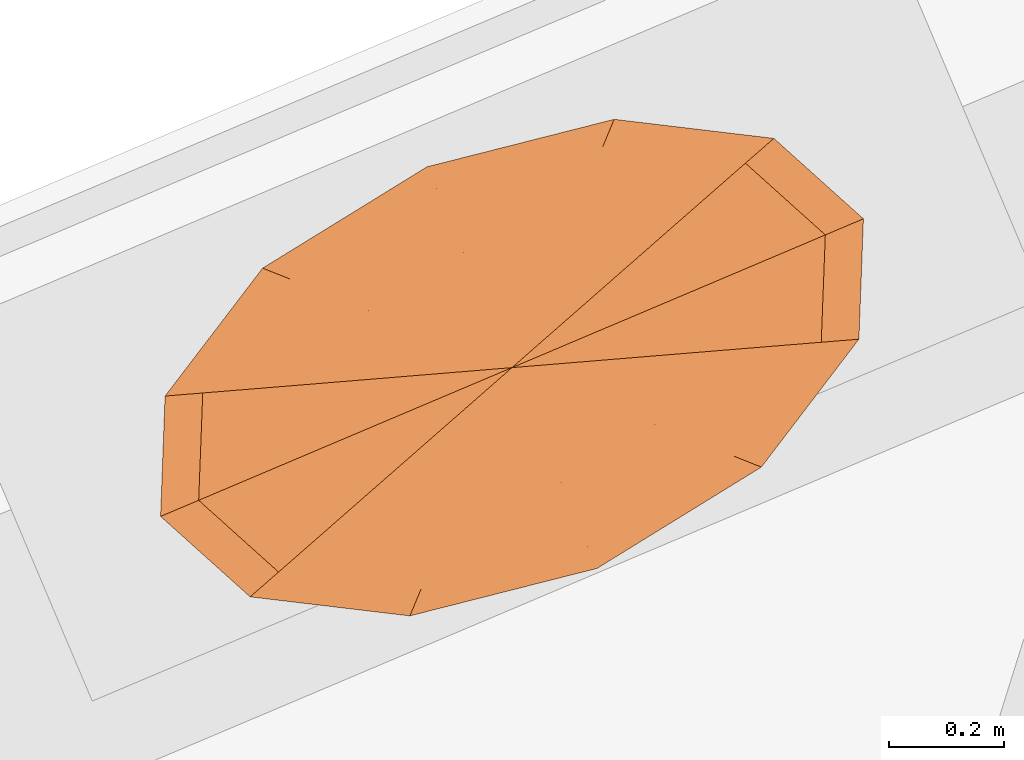
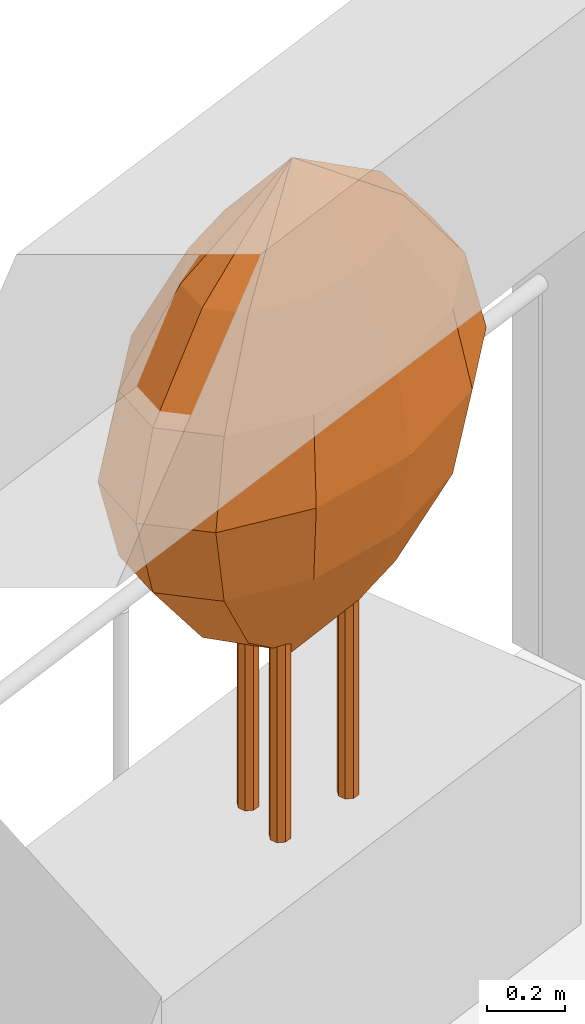
# One storey, part 12 of 12: 1 geographic element.
"""IFC4 building model written with IfcOpenShell, lengths in metres."""

from ifc_helpers import new_model, si_unit, direction, frame, origin, place, context, subcontext, project, spatial, faceted_brep, material, constituent, constituent_set, type_object, element, save


model = new_model("IFC4")

# Units and contexts
model_context = context("Model", 3, precision=1e-05, world=origin(), true_north=direction((0.0, 1.0)))
body_context = subcontext(model_context, "Body", "Model", "MODEL_VIEW")
ifc_project = project(units=[si_unit("LENGTHUNIT", "METRE"), si_unit("AREAUNIT", "SQUARE_METRE"), si_unit("VOLUMEUNIT", "CUBIC_METRE"), si_unit("PLANEANGLEUNIT", "RADIAN"), si_unit("MASSUNIT", "GRAM", prefix="KILO")], contexts=[model_context])

# Site, building, storey
site_placement = place(None, origin())
site = spatial("IfcSite", under=ifc_project, at=site_placement, CompositionType="ELEMENT")
building_placement = place(site_placement, origin())
building = spatial("IfcBuilding", under=site, at=building_placement, Name="Taillehof Tower", CompositionType="ELEMENT")
storey_placement = place(building_placement, frame((0.0, 0.0, 125.199951171875)))
storey = spatial("IfcBuildingStorey", under=building, at=storey_placement, Name="L35", CompositionType="ELEMENT", Elevation=125.199951171875)

# Geographic element
ifc_material_1 = material(Name="Tree bark", Category="timber")
ifc_constituent_1 = constituent(ifc_material_1, Name="Trunk", Category="timber")
ifc_material_2 = material(Name="Tree foliage")
ifc_constituent_2 = constituent(ifc_material_2, Name="Crown")
ifc_constituent_set = constituent_set(constituents=[ifc_constituent_1, ifc_constituent_2], Name="Tree TR3 Multi-stem serviceberry")
geographic_element_type = type_object("IfcGeographicElementType", Name="Tree TR3 Multi-stem serviceberry", PredefinedType="USERDEFINED", material=ifc_constituent_set)
geographic_element_placement = place(storey_placement, frame((-10.2216796875, 20.87890625, 0.75)))
element("IfcGeographicElement", 1, at=geographic_element_placement, inside=storey, type_object=geographic_element_type, Name="Tree TR3 Multi-stem serviceberry", ObjectType="TREE", PredefinedType="USERDEFINED", context=body_context, shape_type="Brep", body=[
    faceted_brep([(0.195068359375, 0.0, 0.0), (0.186767578125, 0.0205078125, 0.0), (0.186767578125, 0.0205078125, 1.04248046875), (0.195068359375, 0.0, 1.04248046875), (0.166259765625, 0.02880859375, 0.0), (0.166259765625, 0.02880859375, 1.04248046875), (0.145751953125, 0.0205078125, 0.0), (0.145751953125, 0.0205078125, 1.04248046875), (0.137451171875, 0.0, 0.0), (0.137451171875, 0.0, 1.04248046875), (0.145751953125, -0.0205078125, 0.0), (0.145751953125, -0.0205078125, 1.04248046875), (0.166259765625, -0.02880859375, 0.0), (0.166259765625, -0.02880859375, 1.04248046875), (0.186767578125, -0.0205078125, 0.0), (0.186767578125, -0.0205078125, 1.04248046875)], [[[0, 1, 2, 3]], [[1, 4, 5, 2]], [[4, 6, 7, 5]], [[6, 8, 9, 7]], [[8, 10, 11, 9]], [[10, 12, 13, 11]], [[12, 14, 15, 13]], [[14, 0, 3, 15]], [[14, 12, 10, 8, 6, 4, 1, 0]], [[3, 2, 5, 7, 9, 11, 13, 15]]]),
    faceted_brep([(-0.05419921875, 0.082275390625, 0.0), (-0.062744140625, 0.102783203125, 0.0), (-0.062744140625, 0.102783203125, 1.04248046875), (-0.05419921875, 0.082275390625, 1.04248046875), (-0.0830078125, 0.111083984375, 0.0), (-0.0830078125, 0.111083984375, 1.04248046875), (-0.103515625, 0.102783203125, 0.0), (-0.103515625, 0.102783203125, 1.04248046875), (-0.112060546875, 0.082275390625, 0.0), (-0.112060546875, 0.082275390625, 1.04248046875), (-0.103515625, 0.061767578125, 0.0), (-0.103515625, 0.061767578125, 1.04248046875), (-0.0830078125, 0.053466796875, 0.0), (-0.0830078125, 0.053466796875, 1.04248046875), (-0.062744140625, 0.061767578125, 0.0), (-0.062744140625, 0.061767578125, 1.04248046875)], [[[0, 1, 2, 3]], [[1, 4, 5, 2]], [[4, 6, 7, 5]], [[6, 8, 9, 7]], [[8, 10, 11, 9]], [[10, 12, 13, 11]], [[12, 14, 15, 13]], [[14, 0, 3, 15]], [[14, 12, 10, 8, 6, 4, 1, 0]], [[3, 2, 5, 7, 9, 11, 13, 15]]]),
    faceted_brep([(-0.05419921875, -0.082275390625, 0.0), (-0.062744140625, -0.061767578125, 0.0), (-0.062744140625, -0.061767578125, 1.04248046875), (-0.05419921875, -0.082275390625, 1.04248046875), (-0.0830078125, -0.053466796875, 0.0), (-0.0830078125, -0.053466796875, 1.04248046875), (-0.103515625, -0.061767578125, 0.0), (-0.103515625, -0.061767578125, 1.04248046875), (-0.112060546875, -0.082275390625, 0.0), (-0.112060546875, -0.082275390625, 1.04248046875), (-0.103515625, -0.102783203125, 0.0), (-0.103515625, -0.102783203125, 1.04248046875), (-0.0830078125, -0.111083984375, 0.0), (-0.0830078125, -0.111083984375, 1.04248046875), (-0.062744140625, -0.102783203125, 0.0), (-0.062744140625, -0.102783203125, 1.04248046875)], [[[0, 1, 2, 3]], [[1, 4, 5, 2]], [[4, 6, 7, 5]], [[6, 8, 9, 7]], [[8, 10, 11, 9]], [[10, 12, 13, 11]], [[12, 14, 15, 13]], [[14, 0, 3, 15]], [[14, 12, 10, 8, 6, 4, 1, 0]], [[3, 2, 5, 7, 9, 11, 13, 15]]]),
    faceted_brep([(0.0, 0.0, 0.5), (-0.261962890625, -0.2294921875, 0.75830078125), (-0.351806640625, -0.14892578125, 0.75830078125), (-0.10205078125, -0.24853515625, 0.75830078125), (0.085205078125, -0.200927734375, 0.75830078125), (0.24951171875, -0.099609375, 0.75830078125), (0.34716796875, 0.028564453125, 0.75830078125), (0.351806640625, 0.14892578125, 0.75830078125), (0.261962890625, 0.2294921875, 0.75830078125), (0.10205078125, 0.24853515625, 0.75830078125), (-0.085205078125, 0.200927734375, 0.75830078125), (-0.24951171875, 0.099609375, 0.75830078125), (-0.34716796875, -0.028564453125, 0.75830078125), (-0.40673828125, -0.356201171875, 1.0166015625), (-0.5458984375, -0.231201171875, 1.0166015625), (-0.158447265625, -0.3857421875, 1.0166015625), (0.132080078125, -0.31201171875, 1.0166015625), (0.38720703125, -0.154541015625, 1.0166015625), (0.538818359375, 0.044189453125, 1.0166015625), (0.5458984375, 0.231201171875, 1.0166015625), (0.40673828125, 0.356201171875, 1.0166015625), (0.158447265625, 0.3857421875, 1.0166015625), (-0.132080078125, 0.31201171875, 1.0166015625), (-0.38720703125, 0.154541015625, 1.0166015625), (-0.538818359375, -0.044189453125, 1.0166015625), (-0.456298828125, -0.3994140625, 1.27490234375), (-0.6123046875, -0.25927734375, 1.27490234375), (-0.177978515625, -0.4326171875, 1.27490234375), (0.148193359375, -0.349853515625, 1.27490234375), (0.4345703125, -0.17333984375, 1.27490234375), (0.6044921875, 0.049560546875, 1.27490234375), (0.6123046875, 0.25927734375, 1.27490234375), (0.456298828125, 0.3994140625, 1.27490234375), (0.177978515625, 0.4326171875, 1.27490234375), (-0.148193359375, 0.349853515625, 1.27490234375), (-0.4345703125, 0.17333984375, 1.27490234375), (-0.6044921875, -0.049560546875, 1.27490234375), (-0.40673828125, -0.356201171875, 1.533447265625), (-0.5458984375, -0.231201171875, 1.533447265625), (-0.158447265625, -0.3857421875, 1.533447265625), (0.132080078125, -0.31201171875, 1.533447265625), (0.38720703125, -0.154541015625, 1.533447265625), (0.538818359375, 0.044189453125, 1.533447265625), (0.5458984375, 0.231201171875, 1.533447265625), (0.40673828125, 0.356201171875, 1.533447265625), (0.158447265625, 0.3857421875, 1.533447265625), (-0.132080078125, 0.31201171875, 1.533447265625), (-0.38720703125, 0.154541015625, 1.533447265625), (-0.538818359375, -0.044189453125, 1.533447265625), (-0.261962890625, -0.2294921875, 1.791748046875), (-0.351806640625, -0.14892578125, 1.791748046875), (-0.10205078125, -0.24853515625, 1.791748046875), (0.085205078125, -0.200927734375, 1.791748046875), (0.24951171875, -0.099609375, 1.791748046875), (0.34716796875, 0.028564453125, 1.791748046875), (0.351806640625, 0.14892578125, 1.791748046875), (0.261962890625, 0.2294921875, 1.791748046875), (0.10205078125, 0.24853515625, 1.791748046875), (-0.085205078125, 0.200927734375, 1.791748046875), (-0.24951171875, 0.099609375, 1.791748046875), (-0.34716796875, -0.028564453125, 1.791748046875), (0.0, 0.0, 2.050048828125)], [[[0, 1, 2]], [[0, 3, 1]], [[0, 4, 3]], [[0, 5, 4]], [[0, 6, 5]], [[0, 7, 6]], [[0, 8, 7]], [[0, 9, 8]], [[0, 10, 9]], [[0, 11, 10]], [[0, 12, 11]], [[0, 2, 12]], [[2, 1, 13, 14]], [[1, 3, 15, 13]], [[3, 4, 16, 15]], [[4, 5, 17, 16]], [[5, 6, 18, 17]], [[6, 7, 19, 18]], [[7, 8, 20, 19]], [[8, 9, 21, 20]], [[9, 10, 22, 21]], [[10, 11, 23, 22]], [[11, 12, 24, 23]], [[12, 2, 14, 24]], [[14, 13, 25, 26]], [[13, 15, 27, 25]], [[15, 16, 28, 27]], [[16, 17, 29, 28]], [[17, 18, 30, 29]], [[18, 19, 31, 30]], [[19, 20, 32, 31]], [[20, 21, 33, 32]], [[21, 22, 34, 33]], [[22, 23, 35, 34]], [[23, 24, 36, 35]], [[24, 14, 26, 36]], [[26, 25, 37, 38]], [[25, 27, 39, 37]], [[27, 28, 40, 39]], [[28, 29, 41, 40]], [[29, 30, 42, 41]], [[30, 31, 43, 42]], [[31, 32, 44, 43]], [[32, 33, 45, 44]], [[33, 34, 46, 45]], [[34, 35, 47, 46]], [[35, 36, 48, 47]], [[36, 26, 38, 48]], [[38, 37, 49, 50]], [[37, 39, 51, 49]], [[39, 40, 52, 51]], [[40, 41, 53, 52]], [[41, 42, 54, 53]], [[42, 43, 55, 54]], [[43, 44, 56, 55]], [[44, 45, 57, 56]], [[45, 46, 58, 57]], [[46, 47, 59, 58]], [[47, 48, 60, 59]], [[48, 38, 50, 60]], [[50, 49, 61]], [[49, 51, 61]], [[51, 52, 61]], [[52, 53, 61]], [[53, 54, 61]], [[54, 55, 61]], [[55, 56, 61]], [[56, 57, 61]], [[57, 58, 61]], [[58, 59, 61]], [[59, 60, 61]], [[60, 50, 61]]]),
])

save(model, "model.ifc")
